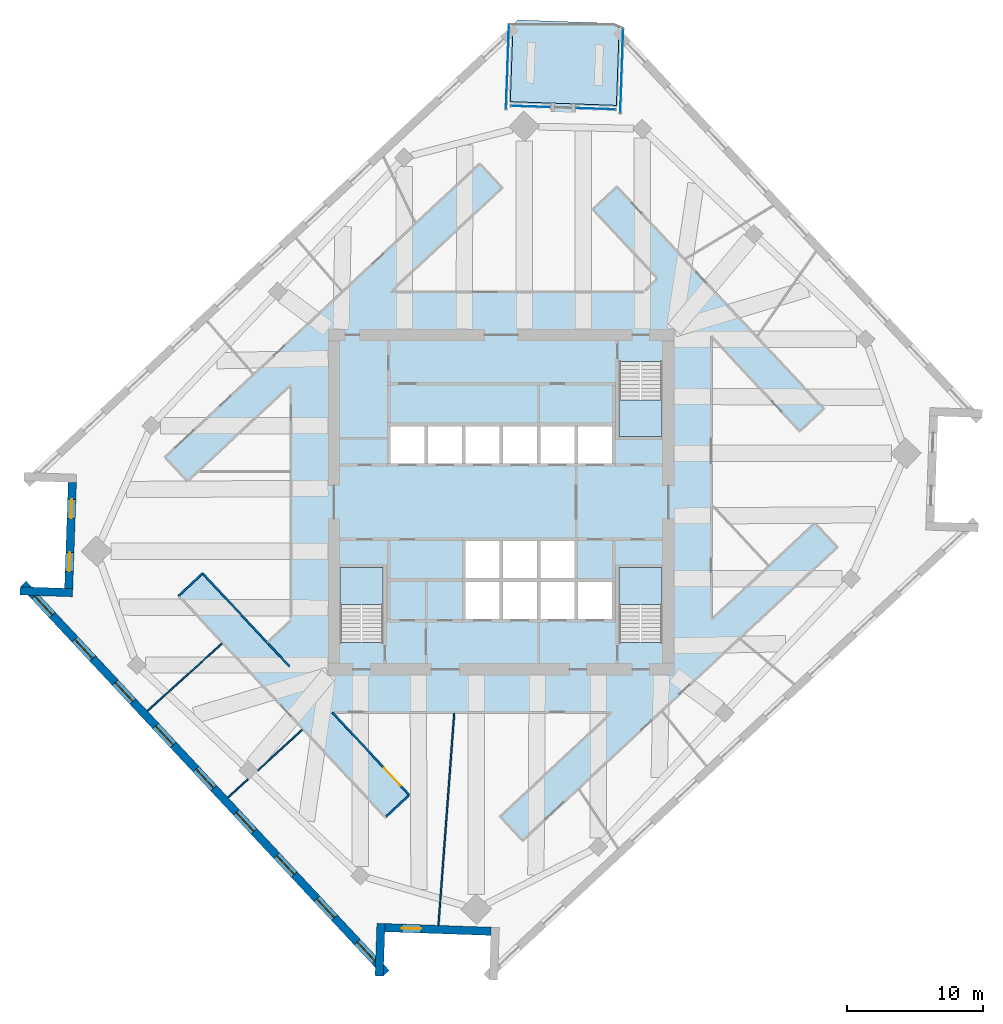
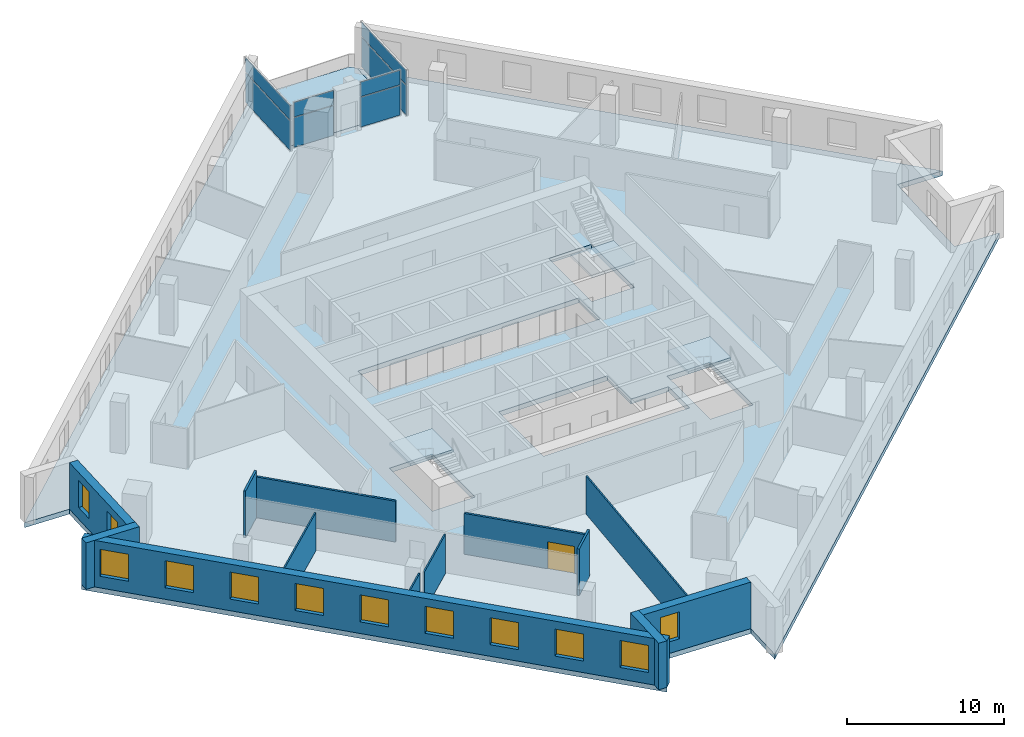
# One storey, part 3 of 10: 13 walls, 12 windows, 8 plates, 5 slabs, 1 door, 13 openings, 7 elements without a shape of their own.
"""IFC4 building model written with IfcOpenShell, lengths in metres."""

from ifc_helpers import new_model, si_unit, direction, frame, frame_2d, origin, origin_2d, place, context, subcontext, project, spatial, polyline, rectangle, outline, extrude, material, layer, layer_set, type_object, element, fill, aggregate, save


model = new_model("IFC4")

# Units and contexts
model_context = context("Model", 3, precision=1e-05, world=origin(), true_north=direction((0.0, 1.0)))
body_context = subcontext(model_context, "Body", "Model", "MODEL_VIEW")
ifc_project = project(units=[si_unit("LENGTHUNIT", "METRE"), si_unit("AREAUNIT", "SQUARE_METRE"), si_unit("VOLUMEUNIT", "CUBIC_METRE"), si_unit("PLANEANGLEUNIT", "RADIAN"), si_unit("MASSUNIT", "GRAM", prefix="KILO")], contexts=[model_context])

# Site, building, storey
site_placement = place(None, origin())
site = spatial("IfcSite", under=ifc_project, at=site_placement, CompositionType="ELEMENT")
building_placement = place(site_placement, origin())
building = spatial("IfcBuilding", under=site, at=building_placement, Name="Dilmun Exchange Tower", CompositionType="ELEMENT")
storey_placement = place(building_placement, frame((0.0, 0.0, 201.300048828125)))
storey = spatial("IfcBuildingStorey", under=building, at=storey_placement, Name="L47", CompositionType="ELEMENT", Elevation=201.300048828125)

# Stair, slab
ifc_material_1 = material(Name="Concrete C40/50", Category="concrete")
stair_type = type_object("IfcStairType", Name="Exit stair 1500 half-turn", PredefinedType="HALF_TURN_STAIR", material=ifc_material_1)
stair_1_placement = place(storey_placement, origin())
stair_1 = element("IfcStair", 1, at=stair_1_placement, inside=storey, type_object=stair_type, Name="L47 Protected exit stair ST1", PredefinedType="HALF_TURN_STAIR")
ifc_layer_1 = layer(ifc_material_1, 0.199951171875)
ifc_layer_set_1 = layer_set([ifc_layer_1], Name="Concrete C40/50")
slab_type_1 = type_object("IfcSlabType", Name="Exit stair landing 200", PredefinedType="LANDING", material=ifc_layer_set_1)
slab_1_placement = place(storey_placement, frame((0.0, 0.0, 1.800048828125)))
slab_1 = element("IfcSlab", 2, at=slab_1_placement, type_object=slab_type_1, Name="ST1 landing 1", PredefinedType="LANDING", context=body_context, shape_type="SweptSolid", body=[
    extrude(outline(polyline([(8.64990234375, 7.5), (8.64990234375, 4.800048828125), (11.800048828125, 4.800048828125), (11.800048828125, 7.5), (8.64990234375, 7.5)])), origin(), (0.0, 0.0, 1.0), 0.199951171875),
])
aggregate(stair_1, [slab_1])

stair_2_placement = place(storey_placement, origin())
stair_2 = element("IfcStair", 3, at=stair_2_placement, inside=storey, type_object=stair_type, Name="L47 Protected exit stair ST2", PredefinedType="HALF_TURN_STAIR")
slab_2_placement = place(storey_placement, frame((0.0, 0.0, 1.800048828125)))
slab_2 = element("IfcSlab", 4, at=slab_2_placement, type_object=slab_type_1, Name="ST2 landing 1", PredefinedType="LANDING", context=body_context, shape_type="SweptSolid", body=[
    extrude(outline(polyline([(-8.64990234375, -7.5), (-8.64990234375, -4.800048828125), (-11.800048828125, -4.800048828125), (-11.800048828125, -7.5), (-8.64990234375, -7.5)])), origin(), (0.0, 0.0, 1.0), 0.199951171875),
])
aggregate(stair_2, [slab_2])

stair_3_placement = place(storey_placement, origin())
stair_3 = element("IfcStair", 5, at=stair_3_placement, inside=storey, type_object=stair_type, Name="L47 Protected exit stair ST3", PredefinedType="HALF_TURN_STAIR")
slab_3_placement = place(storey_placement, frame((0.0, 0.0, 1.800048828125)))
slab_3 = element("IfcSlab", 6, at=slab_3_placement, type_object=slab_type_1, Name="ST3 landing 1", PredefinedType="LANDING", context=body_context, shape_type="SweptSolid", body=[
    extrude(outline(polyline([(11.800048828125, -7.5), (11.800048828125, -4.800048828125), (8.64990234375, -4.800048828125), (8.64990234375, -7.5), (11.800048828125, -7.5)])), origin(), (0.0, 0.0, 1.0), 0.199951171875),
])
aggregate(stair_3, [slab_3])

# Curtain wall, plates
ifc_material_2 = material(Name="Anodised aluminium and clear glass", Category="aluminium")
curtain_wall_type = type_object("IfcCurtainWallType", Name="Garden corner glazing", PredefinedType="NOTDEFINED", material=ifc_material_2)
curtain_wall_1_placement = place(storey_placement, origin())
curtain_wall_1 = element("IfcCurtainWall", 7, at=curtain_wall_1_placement, inside=storey, type_object=curtain_wall_type, Name="Garden corner glazing run GC1.1", PredefinedType="NOTDEFINED")
ifc_material_3 = material(Name="Clear glass", Category="glass")
ifc_layer_2 = layer(ifc_material_3, 0.028076171875)
ifc_layer_set_2 = layer_set([ifc_layer_2], Name="Clear glass")
plate_type = type_object("IfcPlateType", Name="Garden corner glazing glass panel 28", PredefinedType="CURTAIN_PANEL", material=ifc_layer_set_2)
plate_1_placement = place(storey_placement, frame((8.83251953125, 31.589599609375, 0.059814453125), z_axis=(0.0, 0.0, 1.0), x_axis=(-0.034899514651, -0.999390826392, 0.0)))
plate_1 = element("IfcPlate", 8, at=plate_1_placement, type_object=plate_type, Name="GC1.1 panel 1.1", PredefinedType="CURTAIN_PANEL", context=body_context, shape_type="SweptSolid", body=[
    extrude(rectangle(XDim=6.12646484375, YDim=0.028076171875, at=origin_2d()), origin(), (0.0, 0.0, 1.0), 2.31005859375),
])
plate_2_placement = place(storey_placement, frame((8.83251953125, 31.589599609375, 2.429931640625), z_axis=(0.0, 0.0, 1.0), x_axis=(-0.034899514651, -0.999390826392, 0.0)))
plate_2 = element("IfcPlate", 9, at=plate_2_placement, type_object=plate_type, Name="GC1.1 panel 1.2", PredefinedType="CURTAIN_PANEL", context=body_context, shape_type="SweptSolid", body=[
    extrude(rectangle(XDim=6.12646484375, YDim=0.028076171875, at=origin_2d()), origin(), (0.0, 0.0, 1.0), 1.1298828125),
])
aggregate(curtain_wall_1, [plate_1, plate_2])

curtain_wall_2_placement = place(storey_placement, origin())
curtain_wall_2 = element("IfcCurtainWall", 10, at=curtain_wall_2_placement, inside=storey, type_object=curtain_wall_type, Name="Garden corner glazing run GC2.1", PredefinedType="NOTDEFINED")
plate_3_placement = place(storey_placement, frame((6.9404296875, 28.83056640625, 0.059814453125), z_axis=(0.0, 0.0, 1.0), x_axis=(-0.999391046537, 0.034893209966, 0.0)))
plate_3 = element("IfcPlate", 11, at=plate_3_placement, type_object=plate_type, Name="GC2.1 panel 1.1", PredefinedType="CURTAIN_PANEL", context=body_context, shape_type="SweptSolid", body=[
    extrude(rectangle(XDim=2.869140625, YDim=0.028076171875, at=origin_2d()), origin(), (0.0, 0.0, 1.0), 2.31005859375),
])
plate_4_placement = place(storey_placement, frame((6.9404296875, 28.83056640625, 2.429931640625), z_axis=(0.0, 0.0, 1.0), x_axis=(-0.999391046537, 0.034893209966, 0.0)))
plate_4 = element("IfcPlate", 12, at=plate_4_placement, type_object=plate_type, Name="GC2.1 panel 1.2", PredefinedType="CURTAIN_PANEL", context=body_context, shape_type="SweptSolid", body=[
    extrude(rectangle(XDim=2.869140625, YDim=0.028076171875, at=origin_2d()), origin(), (0.0, 0.0, 1.0), 1.1298828125),
])
aggregate(curtain_wall_2, [plate_3, plate_4])

curtain_wall_3_placement = place(storey_placement, origin())
curtain_wall_3 = element("IfcCurtainWall", 13, at=curtain_wall_3_placement, inside=storey, type_object=curtain_wall_type, Name="Garden corner glazing run GC2.3", PredefinedType="NOTDEFINED")
plate_5_placement = place(storey_placement, frame((2.154296875, 28.997802734375, 0.059814453125), z_axis=(0.0, 0.0, 1.0), x_axis=(-0.999391005803, 0.034894376636, 0.0)))
plate_5 = element("IfcPlate", 14, at=plate_5_placement, type_object=plate_type, Name="GC2.3 panel 1.1", PredefinedType="CURTAIN_PANEL", context=body_context, shape_type="SweptSolid", body=[
    extrude(rectangle(XDim=2.869140625, YDim=0.028076171875, at=origin_2d()), origin(), (0.0, 0.0, 1.0), 2.31005859375),
])
plate_6_placement = place(storey_placement, frame((2.154296875, 28.997802734375, 2.429931640625), z_axis=(0.0, 0.0, 1.0), x_axis=(-0.999391005803, 0.034894376636, 0.0)))
plate_6 = element("IfcPlate", 15, at=plate_6_placement, type_object=plate_type, Name="GC2.3 panel 1.2", PredefinedType="CURTAIN_PANEL", context=body_context, shape_type="SweptSolid", body=[
    extrude(rectangle(XDim=2.869140625, YDim=0.028076171875, at=origin_2d()), origin(), (0.0, 0.0, 1.0), 1.1298828125),
])
aggregate(curtain_wall_3, [plate_5, plate_6])

curtain_wall_4_placement = place(storey_placement, origin())
curtain_wall_4 = element("IfcCurtainWall", 16, at=curtain_wall_4_placement, inside=storey, type_object=curtain_wall_type, Name="Garden corner glazing run GC3.1", PredefinedType="NOTDEFINED")
plate_7_placement = place(storey_placement, frame((0.45947265625, 31.8818359375, 0.059814453125), z_axis=(0.0, 0.0, 1.0), x_axis=(0.034899514651, 0.999390826392, 0.0)))
plate_7 = element("IfcPlate", 17, at=plate_7_placement, type_object=plate_type, Name="GC3.1 panel 1.1", PredefinedType="CURTAIN_PANEL", context=body_context, shape_type="SweptSolid", body=[
    extrude(rectangle(XDim=6.12646484375, YDim=0.028076171875, at=origin_2d()), origin(), (0.0, 0.0, 1.0), 2.31005859375),
])
plate_8_placement = place(storey_placement, frame((0.45947265625, 31.8818359375, 2.429931640625), z_axis=(0.0, 0.0, 1.0), x_axis=(0.034899514651, 0.999390826392, 0.0)))
plate_8 = element("IfcPlate", 18, at=plate_8_placement, type_object=plate_type, Name="GC3.1 panel 1.2", PredefinedType="CURTAIN_PANEL", context=body_context, shape_type="SweptSolid", body=[
    extrude(rectangle(XDim=6.12646484375, YDim=0.028076171875, at=origin_2d()), origin(), (0.0, 0.0, 1.0), 1.1298828125),
])
aggregate(curtain_wall_4, [plate_7, plate_8])

# Slabs
ifc_layer_3 = layer(ifc_material_1, 0.3798828125)
ifc_layer_set_3 = layer_set([ifc_layer_3], Name="Concrete C40/50")
slab_type_2 = type_object("IfcSlabType", Name="RC floor slab 380", PredefinedType="FLOOR", material=ifc_layer_set_3)
slab_4_placement = place(storey_placement, frame((0.0, 0.0, -0.380126953125)))
element("IfcSlab", 19, at=slab_4_placement, inside=storey, type_object=slab_type_2, Name="Floor slab", PredefinedType="FLOOR", context=body_context, shape_type="SweptSolid", body=[
    extrude(outline(polyline([(31.9951171875, 6.31201171875), (31.7236328125, -1.461669921875), (34.968017578125, -1.574951171875), (-0.8681640625, -34.992919921875), (-0.7548828125, -31.748291015625), (-8.5283203125, -31.476806640625), (-8.6416015625, -34.72119140625), (-35.239501953125, -6.198486328125), (-31.9951171875, -6.31201171875), (-31.7236328125, 1.461669921875), (-34.968017578125, 1.574951171875), (0.8681640625, 34.992919921875), (0.671142578125, 29.349853515625), (8.444580078125, 29.078369140625), (8.6416015625, 34.72119140625), (35.239501953125, 6.198486328125), (31.9951171875, 6.31201171875)]), holes=[polyline([(-8.64990234375, -4.800048828125), (-11.800048828125, -4.800048828125), (-11.800048828125, -10.294921875), (-8.64990234375, -10.294921875), (-8.64990234375, -4.800048828125)]), polyline([(11.800048828125, -4.800048828125), (8.64990234375, -4.800048828125), (8.64990234375, -10.294921875), (11.800048828125, -10.294921875), (11.800048828125, -4.800048828125)]), polyline([(5.375, -2.85009765625), (-2.625, -2.85009765625), (-2.625, -8.550048828125), (8.125, -8.550048828125), (8.125, -5.85009765625), (5.375, -5.85009765625), (5.375, -2.85009765625)]), polyline([(8.125, 2.85009765625), (8.125, 5.550048828125), (-8.125, 5.550048828125), (-8.125, 2.85009765625), (8.125, 2.85009765625)]), polyline([(8.64990234375, 10.294921875), (8.64990234375, 4.800048828125), (11.800048828125, 4.800048828125), (11.800048828125, 10.294921875), (8.64990234375, 10.294921875)])]), origin(), (0.0, 0.0, 1.0), 0.380126953125),
])
ifc_layer_4 = layer(ifc_material_1, 0.300048828125)
ifc_layer_set_4 = layer_set([ifc_layer_4], Name="Concrete C40/50")
slab_type_3 = type_object("IfcSlabType", Name="RC garden terrace slab 300", PredefinedType="FLOOR", material=ifc_layer_set_4)
slab_5_placement = place(storey_placement, frame((0.0, 0.0, -0.300048828125)))
element("IfcSlab", 20, at=slab_5_placement, inside=storey, type_object=slab_type_3, Name="Garden terrace slab", PredefinedType="FLOOR", context=body_context, shape_type="SweptSolid", body=[
    extrude(outline(polyline([(0.671142578125, 29.349853515625), (0.8681640625, 34.992919921875), (1.23388671875, 35.333740234375), (8.300537109375, 35.0869140625), (8.6416015625, 34.72119140625), (8.444580078125, 29.078369140625), (0.671142578125, 29.349853515625)])), origin(), (0.0, 0.0, 1.0), 0.300048828125),
])

# Walls
ifc_material_4 = material(Name="Corridor wall 150")
ifc_layer_5 = layer(ifc_material_4, 0.14990234375)
ifc_layer_set_5 = layer_set([ifc_layer_5], Name="Corridor wall 150")
wall_type_1 = type_object("IfcWallType", Name="Corridor wall 150", PredefinedType="PARTITIONING", material=ifc_layer_set_5)
wall_1_placement = place(storey_placement, frame((-23.633056640625, -6.85205078125, 0.0), z_axis=(0.0, 0.0, 1.0), x_axis=(0.731295398421, 0.682060877231, 0.0)))
element("IfcWall", 21, at=wall_1_placement, inside=storey, type_object=wall_type_1, Name="Corridor wall", PredefinedType="PARTITIONING", context=body_context, shape_type="SweptSolid", body=[
    extrude(rectangle(XDim=2.400146484375, YDim=0.14990234375, at=frame_2d((1.2001953125, 0.0))), origin(), (0.0, 0.0, 1.0), 3.619873046875),
])
wall_2_placement = place(storey_placement, frame((-21.826904296875, -5.269775390625, 0.0), z_axis=(0.0, 0.0, 1.0), x_axis=(0.682018934887, -0.731334514744, 0.0)))
element("IfcWall", 22, at=wall_2_placement, inside=storey, type_object=wall_type_1, Name="Corridor wall", PredefinedType="PARTITIONING", context=body_context, shape_type="SweptSolid", body=[
    extrude(rectangle(XDim=9.2724609375, YDim=0.14990234375, at=frame_2d((4.63623046875, 0.0))), origin(), (0.0, 0.0, 1.0), 3.169921875),
])

# Wall, opening, door
wall_3_placement = place(storey_placement, frame((-12.3798828125, -15.39990234375, 0.0), z_axis=(0.0, 0.0, 1.0), x_axis=(0.681925559665, -0.731421582314, 0.0)))
wall_3 = element("IfcWall", 23, at=wall_3_placement, inside=storey, type_object=wall_type_1, Name="Corridor wall", PredefinedType="PARTITIONING", context=body_context, shape_type="SweptSolid", body=[
    extrude(rectangle(XDim=8.28662109375, YDim=0.14990234375, at=frame_2d((4.143310546875, 0.0))), origin(), (0.0, 0.0, 1.0), 3.169921875),
])
opening_1_placement = place(wall_3_placement, frame((5.550048828125, 0.0, 0.0)))
opening_1 = element("IfcOpeningElement", 24, at=opening_1_placement, cuts=wall_3, Name="Opening TF46-D07", PredefinedType="OPENING", context=body_context, shape_type="SweptSolid", body=[
    extrude(rectangle(XDim=1.800048828125, YDim=2.10009765625, at=frame_2d((0.89990234375, 1.050048828125))), frame((0.0, 0.0849609375, 0.0), z_axis=(0.0, -1.0, 0.0), x_axis=(1.0, 0.0, 0.0)), (0.0, 0.0, 1.0), 0.169921875),
])
ifc_material_5 = material(Name="Fire door pair 1800 x 2100")
door_type = type_object("IfcDoorType", Name="Fire door pair 1800 x 2100", OperationType="NOTDEFINED", PredefinedType="DOOR", material=ifc_material_5)
door_placement = place(opening_1_placement, origin())
door = element("IfcDoor", 25, at=door_placement, inside=storey, type_object=door_type, Name="Door TF46-D07", OperationType="DOUBLE_DOOR_SINGLE_SWING", OverallHeight=2.10009765625, OverallWidth=1.800048828125, PredefinedType="DOOR", context=body_context, shape_type="SweptSolid", body=[
    extrude(rectangle(XDim=1.800048828125, YDim=2.10009765625, at=frame_2d((0.89990234375, 1.050048828125))), frame((0.0, 0.02490234375, 0.0), z_axis=(0.0, -1.0, 0.0), x_axis=(1.0, 0.0, 0.0)), (0.0, 0.0, 1.0), 0.050048828125),
])
fill(opening_1, door)

# Walls
wall_4_placement = place(storey_placement, frame((-8.42919921875, -23.0458984375, 0.0), z_axis=(0.0, 0.0, 1.0), x_axis=(0.731473834751, 0.681869510299, 0.0)))
element("IfcWall", 26, at=wall_4_placement, inside=storey, type_object=wall_type_1, Name="Corridor wall", PredefinedType="PARTITIONING", context=body_context, shape_type="SweptSolid", body=[
    extrude(rectangle(XDim=2.249267578125, YDim=0.14990234375, at=frame_2d((1.12451171875, 0.0))), origin(), (0.0, 0.0, 1.0), 3.619873046875),
])
ifc_material_6 = material(Name="Partition 100")
ifc_layer_6 = layer(ifc_material_6, 0.10009765625)
ifc_layer_set_6 = layer_set([ifc_layer_6], Name="Partition 100")
wall_type_2 = type_object("IfcWallType", Name="Partition 100", PredefinedType="PARTITIONING", material=ifc_layer_set_6)
wall_5_placement = place(storey_placement, frame((-25.92724609375, -15.302001953125, 0.0), z_axis=(0.0, 0.0, 1.0), x_axis=(0.741648836196, 0.670788344986, 0.0)))
element("IfcWall", 27, at=wall_5_placement, inside=storey, type_object=wall_type_2, Name="Partition", PredefinedType="PARTITIONING", context=body_context, shape_type="SweptSolid", body=[
    extrude(rectangle(XDim=7.3662109375, YDim=0.10009765625, at=frame_2d((3.68310546875, 0.0))), origin(), (0.0, 0.0, 1.0), 2.969970703125),
])
wall_6_placement = place(storey_placement, frame((-20.018310546875, -21.638427734375, 0.0), z_axis=(0.0, 0.0, 1.0), x_axis=(0.738813357268, 0.673910100178, 0.0)))
element("IfcWall", 28, at=wall_6_placement, inside=storey, type_object=wall_type_2, Name="Partition", PredefinedType="PARTITIONING", context=body_context, shape_type="SweptSolid", body=[
    extrude(rectangle(XDim=1.982421875, YDim=0.10009765625, at=frame_2d((0.9912109375, 0.0))), origin(), (0.0, 0.0, 1.0), 3.619873046875),
])
wall_7_placement = place(storey_placement, frame((-17.819091796875, -19.63232421875, 0.0), z_axis=(0.0, 0.0, 1.0), x_axis=(0.738796153114, 0.673928960755, 0.0)))
element("IfcWall", 29, at=wall_7_placement, inside=storey, type_object=wall_type_2, Name="Partition", PredefinedType="PARTITIONING", context=body_context, shape_type="SweptSolid", body=[
    extrude(rectangle(XDim=4.388427734375, YDim=0.10009765625, at=frame_2d((2.1943359375, 0.0))), origin(), (0.0, 0.0, 1.0), 3.050048828125),
])
wall_8_placement = place(storey_placement, frame((-4.597412109375, -31.01171875, 0.0), z_axis=(0.0, 0.0, 1.0), x_axis=(0.074186343443, 0.997244396548, 0.0)))
element("IfcWall", 30, at=wall_8_placement, inside=storey, type_object=wall_type_2, Name="Partition", PredefinedType="PARTITIONING", context=body_context, shape_type="SweptSolid", body=[
    extrude(rectangle(XDim=15.575927734375, YDim=0.10009765625, at=frame_2d((7.7880859375, 0.0))), origin(), (0.0, 0.0, 1.0), 2.969970703125),
])

# Wall, openings, windows
ifc_material_7 = material(Name="Precast concrete C50/60", Category="concrete")
ifc_layer_7 = layer(ifc_material_7, 0.60009765625)
ifc_layer_set_7 = layer_set([ifc_layer_7], Name="Precast concrete C50/60")
wall_type_3 = type_object("IfcWallType", Name="Precast stone-clad wall 600", PredefinedType="STANDARD", material=ifc_layer_set_7)
wall_9_placement = place(storey_placement, frame((-31.423828125, 1.451171875, 0.0), z_axis=(0.0, 0.0, 1.0), x_axis=(-0.034903343287, -0.999390692686, 0.0)))
wall_9 = element("IfcWall", 31, at=wall_9_placement, inside=storey, type_object=wall_type_3, Name="Facade wall L47-05", PredefinedType="STANDARD", context=body_context, shape_type="SweptSolid", body=[
    extrude(rectangle(XDim=7.778076171875, YDim=0.60009765625, at=frame_2d((3.88916015625, 0.0))), origin(), (0.0, 0.0, 1.0), 3.619873046875),
])
opening_2_placement = place(wall_9_placement, frame((1.244384765625, 0.0, 0.89990234375)))
opening_2 = element("IfcOpeningElement", 32, at=opening_2_placement, cuts=wall_9, Name="Opening W140-210", PredefinedType="OPENING", context=body_context, shape_type="SweptSolid", body=[
    extrude(rectangle(XDim=1.39990234375, YDim=2.10009765625, at=frame_2d((0.699951171875, 1.050048828125))), frame((0.0, 0.31005859375, 0.0), z_axis=(0.0, -1.0, 0.0), x_axis=(1.0, 0.0, 0.0)), (0.0, 0.0, 1.0), 0.6201171875),
])
opening_3_placement = place(wall_9_placement, frame((5.133544921875, 0.0, 0.89990234375)))
opening_3 = element("IfcOpeningElement", 33, at=opening_3_placement, cuts=wall_9, Name="Opening W140-210", PredefinedType="OPENING", context=body_context, shape_type="SweptSolid", body=[
    extrude(rectangle(XDim=1.39990234375, YDim=2.10009765625, at=frame_2d((0.699951171875, 1.050048828125))), frame((0.0, 0.31005859375, 0.0), z_axis=(0.0, -1.0, 0.0), x_axis=(1.0, 0.0, 0.0)), (0.0, 0.0, 1.0), 0.6201171875),
])
ifc_material_8 = material(Name="Clear low-emissivity glass in aluminium frame", Category="aluminium")
window_type_1 = type_object("IfcWindowType", Name="Punched window 1400 x 2100", PartitioningType="DOUBLE_PANEL_VERTICAL", PredefinedType="WINDOW", material=ifc_material_8)
window_1_placement = place(opening_2_placement, origin())
window_1 = element("IfcWindow", 34, at=window_1_placement, inside=storey, type_object=window_type_1, Name="Window 6.1", OverallHeight=2.10009765625, OverallWidth=1.39990234375, PartitioningType="SINGLE_PANEL", PredefinedType="WINDOW", context=body_context, shape_type="SweptSolid", body=[
    extrude(rectangle(XDim=1.39990234375, YDim=2.10009765625, at=frame_2d((0.699951171875, 1.050048828125))), frame((0.0, 0.030029296875, 0.0), z_axis=(0.0, -1.0, 0.0), x_axis=(1.0, 0.0, 0.0)), (0.0, 0.0, 1.0), 0.06005859375),
])
fill(opening_2, window_1)
window_2_placement = place(opening_3_placement, origin())
window_2 = element("IfcWindow", 35, at=window_2_placement, inside=storey, type_object=window_type_1, Name="Window 6.2", OverallHeight=2.10009765625, OverallWidth=1.39990234375, PartitioningType="SINGLE_PANEL", PredefinedType="WINDOW", context=body_context, shape_type="SweptSolid", body=[
    extrude(rectangle(XDim=1.39990234375, YDim=2.10009765625, at=frame_2d((0.699951171875, 1.050048828125))), frame((0.0, 0.030029296875, 0.0), z_axis=(0.0, -1.0, 0.0), x_axis=(1.0, 0.0, 0.0)), (0.0, 0.0, 1.0), 0.06005859375),
])
fill(opening_3, window_2)

# Wall
wall_10_placement = place(storey_placement, frame((-31.406005859375, -6.632568359375, 0.0), z_axis=(0.0, 0.0, 1.0), x_axis=(-0.999390445106, 0.034910431553, 0.0)))
element("IfcWall", 36, at=wall_10_placement, inside=storey, type_object=wall_type_3, Name="Facade wall L47-06", PredefinedType="STANDARD", context=body_context, shape_type="SweptSolid", body=[
    extrude(rectangle(XDim=3.846435546875, YDim=0.60009765625, at=frame_2d((1.92333984375, 0.0))), origin(), (0.0, 0.0, 1.0), 3.619873046875),
])

# Wall, openings, windows
wall_11_placement = place(storey_placement, frame((-35.020263671875, -5.993896484375, 0.0), z_axis=(0.0, 0.0, 1.0), x_axis=(0.682002361324, -0.731349970362, 0.0)))
wall_11 = element("IfcWall", 37, at=wall_11_placement, inside=storey, type_object=wall_type_3, Name="Facade wall L47-07", PredefinedType="STANDARD", context=body_context, shape_type="SweptSolid", body=[
    extrude(rectangle(XDim=39.0, YDim=0.60009765625, at=frame_2d((19.5, 0.0))), origin(), (0.0, 0.0, 1.0), 3.619873046875),
])
opening_4_placement = place(wall_11_placement, frame((1.216796875, 0.0, 0.89990234375)))
opening_4 = element("IfcOpeningElement", 38, at=opening_4_placement, cuts=wall_11, Name="Opening W190-210", PredefinedType="OPENING", context=body_context, shape_type="SweptSolid", body=[
    extrude(rectangle(XDim=1.89990234375, YDim=2.10009765625, at=frame_2d((0.949951171875, 1.050048828125))), frame((0.0, 0.31005859375, 0.0), z_axis=(0.0, -1.0, 0.0), x_axis=(1.0, 0.0, 0.0)), (0.0, 0.0, 1.0), 0.6201171875),
])
opening_5_placement = place(wall_11_placement, frame((5.550048828125, 0.0, 0.89990234375)))
opening_5 = element("IfcOpeningElement", 39, at=opening_5_placement, cuts=wall_11, Name="Opening W190-210", PredefinedType="OPENING", context=body_context, shape_type="SweptSolid", body=[
    extrude(rectangle(XDim=1.89990234375, YDim=2.10009765625, at=frame_2d((0.949951171875, 1.050048828125))), frame((0.0, 0.31005859375, 0.0), z_axis=(0.0, -1.0, 0.0), x_axis=(1.0, 0.0, 0.0)), (0.0, 0.0, 1.0), 0.6201171875),
])
opening_6_placement = place(wall_11_placement, frame((9.88330078125, 0.0, 0.89990234375)))
opening_6 = element("IfcOpeningElement", 40, at=opening_6_placement, cuts=wall_11, Name="Opening W190-210", PredefinedType="OPENING", context=body_context, shape_type="SweptSolid", body=[
    extrude(rectangle(XDim=1.89990234375, YDim=2.10009765625, at=frame_2d((0.949951171875, 1.050048828125))), frame((0.0, 0.31005859375, 0.0), z_axis=(0.0, -1.0, 0.0), x_axis=(1.0, 0.0, 0.0)), (0.0, 0.0, 1.0), 0.6201171875),
])
opening_7_placement = place(wall_11_placement, frame((14.216796875, 0.0, 0.89990234375)))
opening_7 = element("IfcOpeningElement", 41, at=opening_7_placement, cuts=wall_11, Name="Opening W190-210", PredefinedType="OPENING", context=body_context, shape_type="SweptSolid", body=[
    extrude(rectangle(XDim=1.89990234375, YDim=2.10009765625, at=frame_2d((0.949951171875, 1.050048828125))), frame((0.0, 0.31005859375, 0.0), z_axis=(0.0, -1.0, 0.0), x_axis=(1.0, 0.0, 0.0)), (0.0, 0.0, 1.0), 0.6201171875),
])
opening_8_placement = place(wall_11_placement, frame((18.550048828125, 0.0, 0.89990234375)))
opening_8 = element("IfcOpeningElement", 42, at=opening_8_placement, cuts=wall_11, Name="Opening W190-210", PredefinedType="OPENING", context=body_context, shape_type="SweptSolid", body=[
    extrude(rectangle(XDim=1.89990234375, YDim=2.10009765625, at=frame_2d((0.949951171875, 1.050048828125))), frame((0.0, 0.31005859375, 0.0), z_axis=(0.0, -1.0, 0.0), x_axis=(1.0, 0.0, 0.0)), (0.0, 0.0, 1.0), 0.6201171875),
])
opening_9_placement = place(wall_11_placement, frame((22.88330078125, 0.0, 0.89990234375)))
opening_9 = element("IfcOpeningElement", 43, at=opening_9_placement, cuts=wall_11, Name="Opening W190-210", PredefinedType="OPENING", context=body_context, shape_type="SweptSolid", body=[
    extrude(rectangle(XDim=1.89990234375, YDim=2.10009765625, at=frame_2d((0.949951171875, 1.050048828125))), frame((0.0, 0.31005859375, 0.0), z_axis=(0.0, -1.0, 0.0), x_axis=(1.0, 0.0, 0.0)), (0.0, 0.0, 1.0), 0.6201171875),
])
opening_10_placement = place(wall_11_placement, frame((27.216796875, 0.0, 0.89990234375)))
opening_10 = element("IfcOpeningElement", 44, at=opening_10_placement, cuts=wall_11, Name="Opening W190-210", PredefinedType="OPENING", context=body_context, shape_type="SweptSolid", body=[
    extrude(rectangle(XDim=1.89990234375, YDim=2.10009765625, at=frame_2d((0.949951171875, 1.050048828125))), frame((0.0, 0.31005859375, 0.0), z_axis=(0.0, -1.0, 0.0), x_axis=(1.0, 0.0, 0.0)), (0.0, 0.0, 1.0), 0.6201171875),
])
opening_11_placement = place(wall_11_placement, frame((31.550048828125, 0.0, 0.89990234375)))
opening_11 = element("IfcOpeningElement", 45, at=opening_11_placement, cuts=wall_11, Name="Opening W190-210", PredefinedType="OPENING", context=body_context, shape_type="SweptSolid", body=[
    extrude(rectangle(XDim=1.89990234375, YDim=2.10009765625, at=frame_2d((0.949951171875, 1.050048828125))), frame((0.0, 0.31005859375, 0.0), z_axis=(0.0, -1.0, 0.0), x_axis=(1.0, 0.0, 0.0)), (0.0, 0.0, 1.0), 0.6201171875),
])
opening_12_placement = place(wall_11_placement, frame((35.88330078125, 0.0, 0.89990234375)))
opening_12 = element("IfcOpeningElement", 46, at=opening_12_placement, cuts=wall_11, Name="Opening W190-210", PredefinedType="OPENING", context=body_context, shape_type="SweptSolid", body=[
    extrude(rectangle(XDim=1.89990234375, YDim=2.10009765625, at=frame_2d((0.949951171875, 1.050048828125))), frame((0.0, 0.31005859375, 0.0), z_axis=(0.0, -1.0, 0.0), x_axis=(1.0, 0.0, 0.0)), (0.0, 0.0, 1.0), 0.6201171875),
])
window_type_2 = type_object("IfcWindowType", Name="Punched window 1900 x 2100", PartitioningType="DOUBLE_PANEL_VERTICAL", PredefinedType="WINDOW", material=ifc_material_8)
window_3_placement = place(opening_4_placement, origin())
window_3 = element("IfcWindow", 47, at=window_3_placement, inside=storey, type_object=window_type_2, Name="Window 8.1", OverallHeight=2.10009765625, OverallWidth=1.89990234375, PartitioningType="SINGLE_PANEL", PredefinedType="WINDOW", context=body_context, shape_type="SweptSolid", body=[
    extrude(rectangle(XDim=1.89990234375, YDim=2.10009765625, at=frame_2d((0.949951171875, 1.050048828125))), frame((0.0, 0.030029296875, 0.0), z_axis=(0.0, -1.0, 0.0), x_axis=(1.0, 0.0, 0.0)), (0.0, 0.0, 1.0), 0.06005859375),
])
fill(opening_4, window_3)
window_4_placement = place(opening_5_placement, origin())
window_4 = element("IfcWindow", 48, at=window_4_placement, inside=storey, type_object=window_type_2, Name="Window 8.2", OverallHeight=2.10009765625, OverallWidth=1.89990234375, PartitioningType="SINGLE_PANEL", PredefinedType="WINDOW", context=body_context, shape_type="SweptSolid", body=[
    extrude(rectangle(XDim=1.89990234375, YDim=2.10009765625, at=frame_2d((0.949951171875, 1.050048828125))), frame((0.0, 0.030029296875, 0.0), z_axis=(0.0, -1.0, 0.0), x_axis=(1.0, 0.0, 0.0)), (0.0, 0.0, 1.0), 0.06005859375),
])
fill(opening_5, window_4)
window_5_placement = place(opening_6_placement, origin())
window_5 = element("IfcWindow", 49, at=window_5_placement, inside=storey, type_object=window_type_2, Name="Window 8.3", OverallHeight=2.10009765625, OverallWidth=1.89990234375, PartitioningType="SINGLE_PANEL", PredefinedType="WINDOW", context=body_context, shape_type="SweptSolid", body=[
    extrude(rectangle(XDim=1.89990234375, YDim=2.10009765625, at=frame_2d((0.949951171875, 1.050048828125))), frame((0.0, 0.030029296875, 0.0), z_axis=(0.0, -1.0, 0.0), x_axis=(1.0, 0.0, 0.0)), (0.0, 0.0, 1.0), 0.06005859375),
])
fill(opening_6, window_5)
window_6_placement = place(opening_7_placement, origin())
window_6 = element("IfcWindow", 50, at=window_6_placement, inside=storey, type_object=window_type_2, Name="Window 8.4", OverallHeight=2.10009765625, OverallWidth=1.89990234375, PartitioningType="SINGLE_PANEL", PredefinedType="WINDOW", context=body_context, shape_type="SweptSolid", body=[
    extrude(rectangle(XDim=1.89990234375, YDim=2.10009765625, at=frame_2d((0.949951171875, 1.050048828125))), frame((0.0, 0.030029296875, 0.0), z_axis=(0.0, -1.0, 0.0), x_axis=(1.0, 0.0, 0.0)), (0.0, 0.0, 1.0), 0.06005859375),
])
fill(opening_7, window_6)
window_7_placement = place(opening_8_placement, origin())
window_7 = element("IfcWindow", 51, at=window_7_placement, inside=storey, type_object=window_type_2, Name="Window 8.5", OverallHeight=2.10009765625, OverallWidth=1.89990234375, PartitioningType="SINGLE_PANEL", PredefinedType="WINDOW", context=body_context, shape_type="SweptSolid", body=[
    extrude(rectangle(XDim=1.89990234375, YDim=2.10009765625, at=frame_2d((0.949951171875, 1.050048828125))), frame((0.0, 0.030029296875, 0.0), z_axis=(0.0, -1.0, 0.0), x_axis=(1.0, 0.0, 0.0)), (0.0, 0.0, 1.0), 0.06005859375),
])
fill(opening_8, window_7)
window_8_placement = place(opening_9_placement, origin())
window_8 = element("IfcWindow", 52, at=window_8_placement, inside=storey, type_object=window_type_2, Name="Window 8.6", OverallHeight=2.10009765625, OverallWidth=1.89990234375, PartitioningType="SINGLE_PANEL", PredefinedType="WINDOW", context=body_context, shape_type="SweptSolid", body=[
    extrude(rectangle(XDim=1.89990234375, YDim=2.10009765625, at=frame_2d((0.949951171875, 1.050048828125))), frame((0.0, 0.030029296875, 0.0), z_axis=(0.0, -1.0, 0.0), x_axis=(1.0, 0.0, 0.0)), (0.0, 0.0, 1.0), 0.06005859375),
])
fill(opening_9, window_8)
window_9_placement = place(opening_10_placement, origin())
window_9 = element("IfcWindow", 53, at=window_9_placement, inside=storey, type_object=window_type_2, Name="Window 8.7", OverallHeight=2.10009765625, OverallWidth=1.89990234375, PartitioningType="SINGLE_PANEL", PredefinedType="WINDOW", context=body_context, shape_type="SweptSolid", body=[
    extrude(rectangle(XDim=1.89990234375, YDim=2.10009765625, at=frame_2d((0.949951171875, 1.050048828125))), frame((0.0, 0.030029296875, 0.0), z_axis=(0.0, -1.0, 0.0), x_axis=(1.0, 0.0, 0.0)), (0.0, 0.0, 1.0), 0.06005859375),
])
fill(opening_10, window_9)
window_10_placement = place(opening_11_placement, origin())
window_10 = element("IfcWindow", 54, at=window_10_placement, inside=storey, type_object=window_type_2, Name="Window 8.8", OverallHeight=2.10009765625, OverallWidth=1.89990234375, PartitioningType="SINGLE_PANEL", PredefinedType="WINDOW", context=body_context, shape_type="SweptSolid", body=[
    extrude(rectangle(XDim=1.89990234375, YDim=2.10009765625, at=frame_2d((0.949951171875, 1.050048828125))), frame((0.0, 0.030029296875, 0.0), z_axis=(0.0, -1.0, 0.0), x_axis=(1.0, 0.0, 0.0)), (0.0, 0.0, 1.0), 0.06005859375),
])
fill(opening_11, window_10)
window_11_placement = place(opening_12_placement, origin())
window_11 = element("IfcWindow", 55, at=window_11_placement, inside=storey, type_object=window_type_2, Name="Window 8.9", OverallHeight=2.10009765625, OverallWidth=1.89990234375, PartitioningType="SINGLE_PANEL", PredefinedType="WINDOW", context=body_context, shape_type="SweptSolid", body=[
    extrude(rectangle(XDim=1.89990234375, YDim=2.10009765625, at=frame_2d((0.949951171875, 1.050048828125))), frame((0.0, 0.030029296875, 0.0), z_axis=(0.0, -1.0, 0.0), x_axis=(1.0, 0.0, 0.0)), (0.0, 0.0, 1.0), 0.06005859375),
])
fill(opening_12, window_11)

# Wall
wall_12_placement = place(storey_placement, frame((-8.94140625, -34.7109375, 0.0), z_axis=(0.0, 0.0, 1.0), x_axis=(0.034908217157, 0.999390522456, 0.0)))
element("IfcWall", 56, at=wall_12_placement, inside=storey, type_object=wall_type_3, Name="Facade wall L47-08", PredefinedType="STANDARD", context=body_context, shape_type="SweptSolid", body=[
    extrude(rectangle(XDim=3.8466796875, YDim=0.60009765625, at=frame_2d((1.92333984375, 0.0))), origin(), (0.0, 0.0, 1.0), 3.619873046875),
])

# Wall, opening, window
wall_13_placement = place(storey_placement, frame((-8.517822265625, -31.177001953125, 0.0), z_axis=(0.0, 0.0, 1.0), x_axis=(0.999390692686, -0.034903343287, 0.0)))
wall_13 = element("IfcWall", 57, at=wall_13_placement, inside=storey, type_object=wall_type_3, Name="Facade wall L47-09", PredefinedType="STANDARD", context=body_context, shape_type="SweptSolid", body=[
    extrude(rectangle(XDim=7.778076171875, YDim=0.60009765625, at=frame_2d((3.88916015625, 0.0))), origin(), (0.0, 0.0, 1.0), 3.619873046875),
])
opening_13_placement = place(wall_13_placement, frame((1.244384765625, 0.0, 0.89990234375)))
opening_13 = element("IfcOpeningElement", 58, at=opening_13_placement, cuts=wall_13, Name="Opening W140-210", PredefinedType="OPENING", context=body_context, shape_type="SweptSolid", body=[
    extrude(rectangle(XDim=1.39990234375, YDim=2.10009765625, at=frame_2d((0.699951171875, 1.050048828125))), frame((0.0, 0.31005859375, 0.0), z_axis=(0.0, -1.0, 0.0), x_axis=(1.0, 0.0, 0.0)), (0.0, 0.0, 1.0), 0.6201171875),
])
window_12_placement = place(opening_13_placement, origin())
window_12 = element("IfcWindow", 59, at=window_12_placement, inside=storey, type_object=window_type_1, Name="Window 10.1", OverallHeight=2.10009765625, OverallWidth=1.39990234375, PartitioningType="SINGLE_PANEL", PredefinedType="WINDOW", context=body_context, shape_type="SweptSolid", body=[
    extrude(rectangle(XDim=1.39990234375, YDim=2.10009765625, at=frame_2d((0.699951171875, 1.050048828125))), frame((0.0, 0.030029296875, 0.0), z_axis=(0.0, -1.0, 0.0), x_axis=(1.0, 0.0, 0.0)), (0.0, 0.0, 1.0), 0.06005859375),
])
fill(opening_13, window_12)

save(model, "model.ifc")
